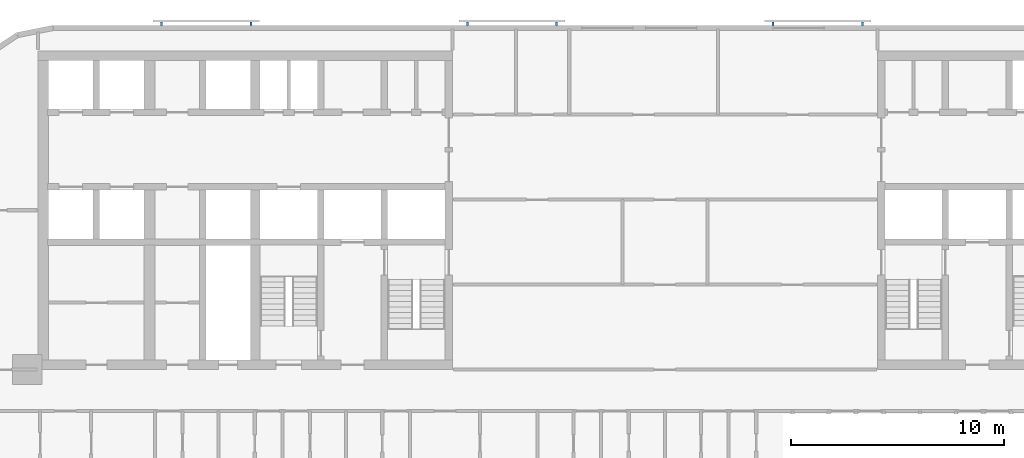
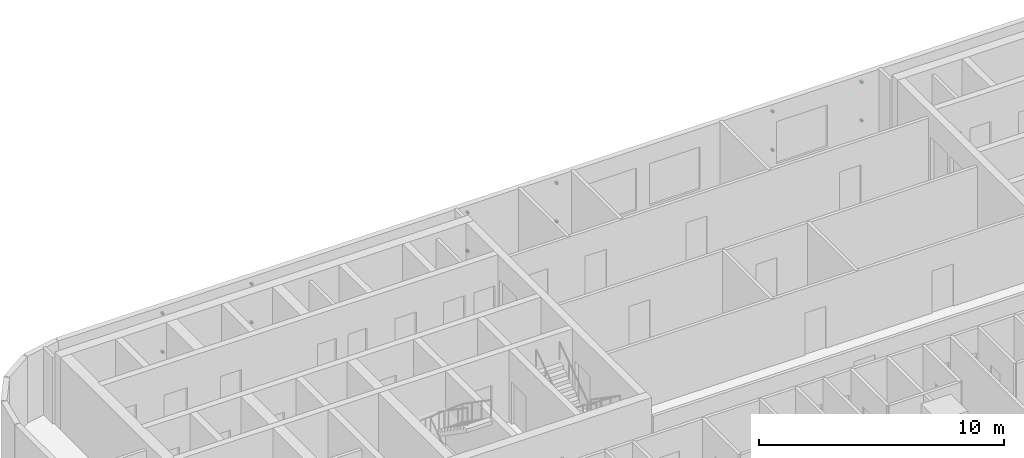
# One storey, part 11 of 15: 12 discrete accessories.
"""IFC4 building model written with IfcOpenShell, lengths in metres."""

from ifc_helpers import new_model, si_unit, direction, frame, origin, origin_2d, place, context, subcontext, project, spatial, rectangle, extrude, material, type_object, element, save


model = new_model("IFC4")

# Units and contexts
model_context = context("Model", 3, precision=1e-05, world=origin(), true_north=direction((0.0, 1.0)))
body_context = subcontext(model_context, "Body", "Model", "MODEL_VIEW")
ifc_project = project(units=[si_unit("LENGTHUNIT", "METRE"), si_unit("AREAUNIT", "SQUARE_METRE"), si_unit("VOLUMEUNIT", "CUBIC_METRE"), si_unit("PLANEANGLEUNIT", "RADIAN"), si_unit("MASSUNIT", "GRAM", prefix="KILO")], contexts=[model_context])

# Site, building, storey
site_placement = place(None, origin())
site = spatial("IfcSite", under=ifc_project, at=site_placement, CompositionType="ELEMENT")
building_placement = place(site_placement, origin())
building = spatial("IfcBuilding", under=site, at=building_placement, Name="Torana Hotel and Residences", CompositionType="ELEMENT")
storey_placement = place(building_placement, frame((0.0, 0.0, 24.0)))
storey = spatial("IfcBuildingStorey", under=building, at=storey_placement, Name="L04", CompositionType="ELEMENT", Elevation=24.0)

# Discrete accessories
ifc_material = material(Name="Steel S355", Category="steel")
discrete_accessory_type = type_object("IfcDiscreteAccessoryType", Name="SCREEN BRACKET 100", PredefinedType="BRACKET", material=ifc_material)
for number, where, z_axis, x_axis, name in (
    (1, (9.293701171875, 1.27490234375, 0.75), (0.0, 0.0, 1.0), (-1.0, 0.0, 0.0), "Screen bracket L04"),
    (2, (9.293701171875, 1.27490234375, 2.669921875), (0.0, 0.0, 1.0), (-1.0, 0.0, 0.0), "Screen bracket L04"),
    (3, (5.09375, 1.27490234375, 0.75), (0.0, 0.0, 1.0), (-1.0, 0.0, 0.0), "Screen bracket L04"),
    (4, (5.09375, 1.27490234375, 2.669921875), (0.0, 0.0, 1.0), (-1.0, 0.0, 0.0), "Screen bracket L04"),
    (5, (-5.09375, 1.27490234375, 0.75), (0.0, 0.0, 1.0), (-1.0, 0.0, 0.0), "Screen bracket L04"),
    (6, (-5.09375, 1.27490234375, 2.669921875), (0.0, 0.0, 1.0), (-1.0, 0.0, 0.0), "Screen bracket L04"),
    (7, (-9.293701171875, 1.27490234375, 0.75), (0.0, 0.0, 1.0), (-1.0, 0.0, 0.0), "Screen bracket L04"),
    (8, (-9.293701171875, 1.27490234375, 2.669921875), (0.0, 0.0, 1.0), (-1.0, 0.0, 0.0), "Screen bracket L04"),
    (9, (-19.4814453125, 1.27490234375, 0.75), (0.0, 0.0, 1.0), (-1.0, 0.0, 0.0), "Screen bracket L04"),
    (10, (-19.4814453125, 1.27490234375, 2.669921875), (0.0, 0.0, 1.0), (-1.0, 0.0, 0.0), "Screen bracket L04"),
    (11, (-23.681396484375, 1.27490234375, 0.75), (0.0, 0.0, 1.0), (-1.0, 0.0, 0.0), "Screen bracket L04"),
    (12, (-23.681396484375, 1.27490234375, 2.669921875), (0.0, 0.0, 1.0), (-1.0, 0.0, 0.0), "Screen bracket L04"),
):
    element("IfcDiscreteAccessory", number, at=place(storey_placement, frame(where, z_axis=z_axis, x_axis=x_axis)), inside=storey, type_object=discrete_accessory_type, Name=name, PredefinedType="BRACKET", context=body_context, shape_type="SweptSolid", body=[
        extrude(rectangle(XDim=0.10009765625, YDim=0.14990234375, at=origin_2d()), origin(), (0.0, 0.0, 1.0), 0.10009765625),
    ])

save(model, "model.ifc")
